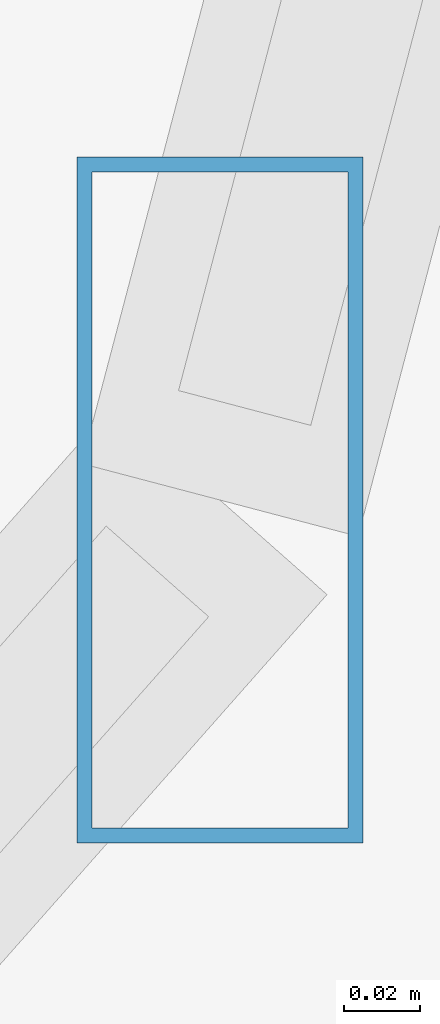
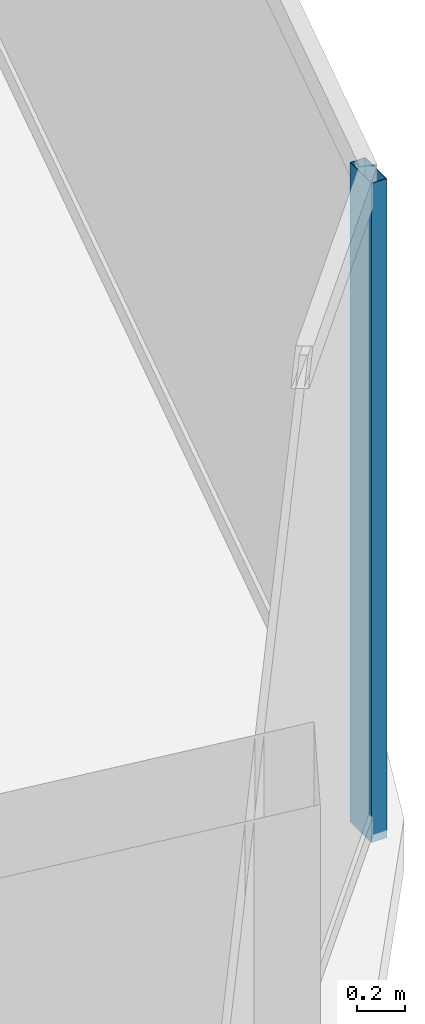
# One storey, part 13 of 30: 1 member, 1 element without a shape of its own.
"""IFC4 building model written with IfcOpenShell, lengths in metres."""

from ifc_helpers import new_model, si_unit, direction, frame, origin, origin_2d, place, context, subcontext, project, spatial, hollow_rectangle, extrude, material, material_profile, profile_set, type_object, element, aggregate, save


model = new_model("IFC4")

# Units and contexts
model_context = context("Model", 3, precision=1e-05, world=origin(), true_north=direction((0.0, 1.0)))
body_context = subcontext(model_context, "Body", "Model", "MODEL_VIEW")
ifc_project = project(units=[si_unit("LENGTHUNIT", "METRE"), si_unit("AREAUNIT", "SQUARE_METRE"), si_unit("VOLUMEUNIT", "CUBIC_METRE"), si_unit("PLANEANGLEUNIT", "RADIAN"), si_unit("MASSUNIT", "GRAM", prefix="KILO")], contexts=[model_context])

# Site, building, storey
site_placement = place(None, origin())
site = spatial("IfcSite", under=ifc_project, at=site_placement, CompositionType="ELEMENT")
building_placement = place(site_placement, origin())
building = spatial("IfcBuilding", under=site, at=building_placement, Name="Vorneva Point Tower", CompositionType="ELEMENT")
storey_placement = place(building_placement, frame((0.0, 0.0, 252.0)))
storey = spatial("IfcBuildingStorey", under=building, at=storey_placement, Name="L68", CompositionType="ELEMENT", Elevation=252.0)

# Curtain wall, member
ifc_material = material(Name="Pale anodised aluminium", Category="aluminium")
curtain_wall_type = type_object("IfcCurtainWallType", Name="CW-RES-SYS", PredefinedType="NOTDEFINED", material=ifc_material)
curtain_wall_placement = place(storey_placement, origin())
curtain_wall = element("IfcCurtainWall", 1, at=curtain_wall_placement, inside=storey, type_object=curtain_wall_type, Name="L68 Unitised Curtain Wall CW-L68-R01", PredefinedType="NOTDEFINED")
ifc_material_profile = material_profile(ifc_material, hollow_rectangle(XDim=0.074951171875, YDim=0.179931640625, WallThickness=0.00390625, at=origin_2d()), Name="AL-MUL 180x75x4")
ifc_profile_set = profile_set([ifc_material_profile], Name="Pale anodised aluminium")
member_type = type_object("IfcMemberType", Name="CW-MUL-180", PredefinedType="MULLION", material=ifc_profile_set)
member_placement = place(storey_placement, frame((62.20556640625, 18.4189453125, -0.0400390625), z_axis=(0.0, 0.0, 1.0), x_axis=(1.0, 0.0, 0.0)))
member = element("IfcMember", 2, at=member_placement, type_object=member_type, Name="CW-L68-R01 Mullion 02", PredefinedType="MULLION", context=body_context, shape_type="SweptSolid", body=[
    extrude(hollow_rectangle(XDim=0.074951171875, YDim=0.179931640625, WallThickness=0.00390625, at=origin_2d()), origin(), (0.0, 0.0, 1.0), 3.360107421875),
])
aggregate(curtain_wall, [member])

save(model, "model.ifc")
